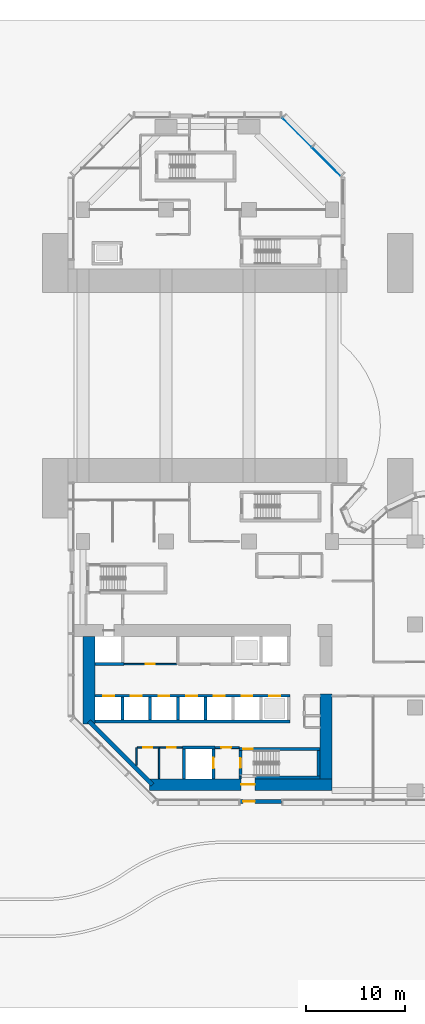
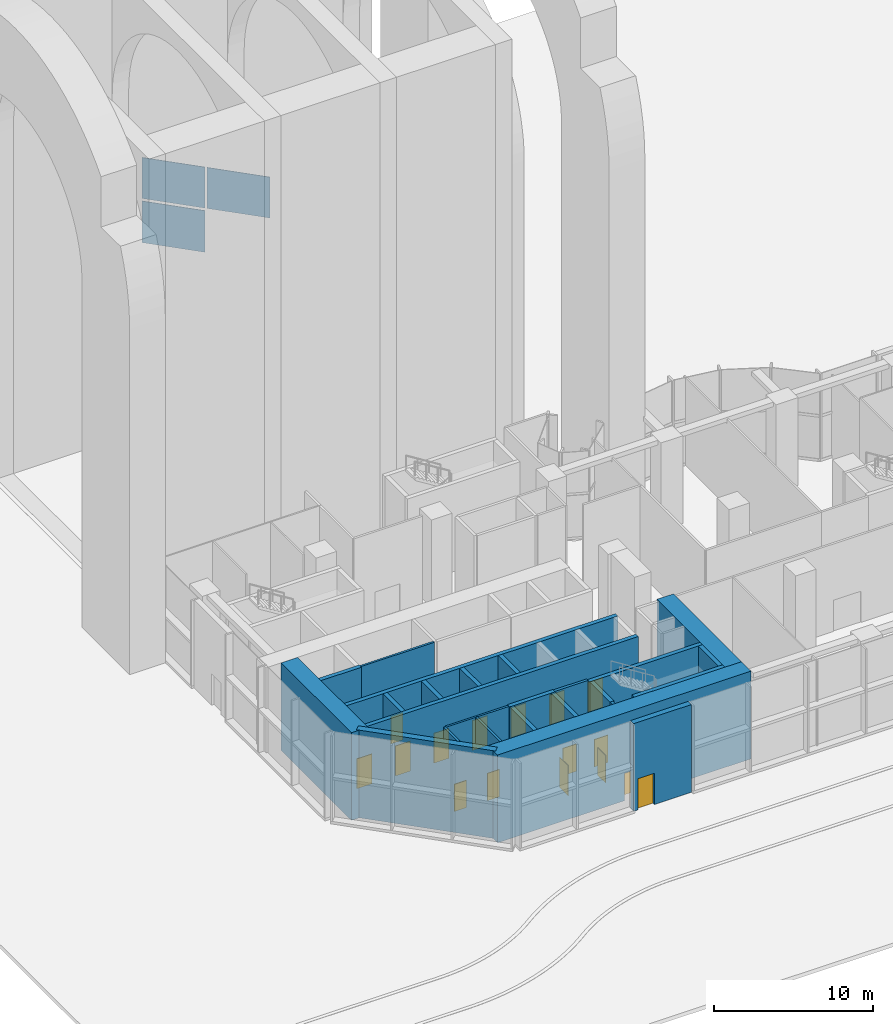
# One storey, part 7 of 21: 26 walls, 16 doors, 3 plates, 16 openings, 1 element without a shape of its own.
"""IFC4 building model written with IfcOpenShell, lengths in metres."""

from ifc_helpers import new_model, si_unit, direction, frame, frame_2d, origin, place, context, subcontext, project, spatial, polyline, rectangle, outline, extrude, material, layer, layer_set, type_object, element, fill, aggregate, save


model = new_model("IFC4")

# Units and contexts
model_context = context("Model", 3, precision=1e-05, world=origin(), true_north=direction((0.0, 1.0)))
body_context = subcontext(model_context, "Body", "Model", "MODEL_VIEW")
ifc_project = project(units=[si_unit("LENGTHUNIT", "METRE"), si_unit("AREAUNIT", "SQUARE_METRE"), si_unit("VOLUMEUNIT", "CUBIC_METRE"), si_unit("PLANEANGLEUNIT", "RADIAN"), si_unit("MASSUNIT", "GRAM", prefix="KILO")], contexts=[model_context])

# Site, building, storey
site_placement = place(None, origin())
site = spatial("IfcSite", under=ifc_project, at=site_placement, CompositionType="ELEMENT")
building_placement = place(site_placement, origin())
building = spatial("IfcBuilding", under=site, at=building_placement, Name="Brevane Broadcast Tower", CompositionType="ELEMENT")
storey_placement = place(building_placement, origin())
storey = spatial("IfcBuildingStorey", under=building, at=storey_placement, Name="L00", CompositionType="ELEMENT", Elevation=0.0)

# Curtain wall, plates
ifc_material_1 = material(Name="Aluminium 6063-T6 bronze anodised", Category="aluminium")
curtain_wall_type = type_object("IfcCurtainWallType", Name="CW-6 curtain wall", PredefinedType="NOTDEFINED", material=ifc_material_1)
curtain_wall_placement = place(storey_placement, origin())
curtain_wall = element("IfcCurtainWall", 1, at=curtain_wall_placement, inside=storey, type_object=curtain_wall_type, Name="CW-6 ground storey storefront unit L00 north arm north-east chamfer", PredefinedType="NOTDEFINED")
ifc_material_2 = material(Name="Laminated glass bronze-tinted", Category="glass")
ifc_layer_1 = layer(ifc_material_2, 0.0400390625)
ifc_layer_set_1 = layer_set([ifc_layer_1], Name="CW glass panel 40")
plate_type = type_object("IfcPlateType", Name="CW glass panel 40", PredefinedType="CURTAIN_PANEL", material=ifc_layer_set_1)
plate_1_placement = place(storey_placement, frame((0.0, 0.0, 3.60009765625)))
plate_1 = element("IfcPlate", 2, at=plate_1_placement, type_object=plate_type, Name="CW-6 glass panel", PredefinedType="CURTAIN_PANEL", context=body_context, shape_type="SweptSolid", body=[
    extrude(outline(polyline([(26.078857421875, 62.16357421875), (23.16357421875, 65.078857421875), (23.19189453125, 65.107177734375), (26.107177734375, 62.19189453125), (26.078857421875, 62.16357421875)])), origin(), (0.0, 0.0, 1.0), 3.14990234375),
])
plate_2_placement = place(storey_placement, frame((0.0, 0.0, 0.199951171875)))
plate_2 = element("IfcPlate", 3, at=plate_2_placement, type_object=plate_type, Name="CW-6 glass panel", PredefinedType="CURTAIN_PANEL", context=body_context, shape_type="SweptSolid", body=[
    extrude(outline(polyline([(23.078857421875, 65.16357421875), (20.16357421875, 68.078857421875), (20.19189453125, 68.107177734375), (23.107177734375, 65.19189453125), (23.078857421875, 65.16357421875)])), origin(), (0.0, 0.0, 1.0), 3.199951171875),
])
plate_3_placement = place(storey_placement, frame((0.0, 0.0, 3.60009765625)))
plate_3 = element("IfcPlate", 4, at=plate_3_placement, type_object=plate_type, Name="CW-6 glass panel", PredefinedType="CURTAIN_PANEL", context=body_context, shape_type="SweptSolid", body=[
    extrude(outline(polyline([(23.078857421875, 65.16357421875), (20.16357421875, 68.078857421875), (20.19189453125, 68.107177734375), (23.107177734375, 65.19189453125), (23.078857421875, 65.16357421875)])), origin(), (0.0, 0.0, 1.0), 3.14990234375),
])
aggregate(curtain_wall, [plate_1, plate_2, plate_3])

# Wall, opening, door
ifc_material_3 = material(Name="Gypsum board on steel studs", Category="steel")
ifc_layer_2 = layer(ifc_material_3, 0.14990234375)
ifc_layer_set_2 = layer_set([ifc_layer_2], Name="Core fire partition 150 mm")
wall_type_1 = type_object("IfcWallType", Name="Core fire partition 150 mm", PredefinedType="PARTITIONING", material=ifc_layer_set_2)
wall_1_placement = place(storey_placement, frame((4.162109375, 12.800048828125, 0.0), z_axis=(0.0, 0.0, 1.0), x_axis=(1.0, 0.0, 0.0)))
wall_1 = element("IfcWall", 5, at=wall_1_placement, inside=storey, type_object=wall_type_1, Name="L00 partition wall P13", PredefinedType="PARTITIONING", context=body_context, shape_type="SweptSolid", body=[
    extrude(rectangle(XDim=5.337890625, YDim=0.14990234375, at=frame_2d((2.6689453125, 0.0))), origin(), (0.0, 0.0, 1.0), 6.75),
])
opening_1_placement = place(wall_1_placement, frame((2.18798828125, 0.0, 0.0)))
opening_1 = element("IfcOpeningElement", 6, at=opening_1_placement, cuts=wall_1, Name="Opening L00-K29", PredefinedType="OPENING", context=body_context, shape_type="SweptSolid", body=[
    extrude(rectangle(XDim=0.89990234375, YDim=2.10009765625, at=frame_2d((0.449951171875, 1.050048828125))), frame((0.0, 0.0849609375, 0.0), z_axis=(0.0, -1.0, 0.0), x_axis=(1.0, 0.0, 0.0)), (0.0, 0.0, 1.0), 0.169921875),
])
ifc_material_4 = material(Name="Steel", Category="steel")
door_type_1 = type_object("IfcDoorType", Name="Service room door 900 x 2100", OperationType="SINGLE_SWING_LEFT", PredefinedType="DOOR", material=ifc_material_4)
door_1_placement = place(opening_1_placement, origin())
door_1 = element("IfcDoor", 7, at=door_1_placement, inside=storey, type_object=door_type_1, Name="Door L00-K29", OperationType="SINGLE_SWING_RIGHT", OverallHeight=2.10009765625, OverallWidth=0.89990234375, PredefinedType="DOOR", context=body_context, shape_type="SweptSolid", body=[
    extrude(rectangle(XDim=0.89990234375, YDim=2.10009765625, at=frame_2d((0.449951171875, 1.050048828125))), frame((0.0, 0.02490234375, 0.0), z_axis=(0.0, -1.0, 0.0), x_axis=(1.0, 0.0, 0.0)), (0.0, 0.0, 1.0), 0.050048828125),
])
fill(opening_1, door_1)

# Wall
wall_2_placement = place(storey_placement, frame((5.39990234375, 2.553466796875, 0.0), z_axis=(0.0, 0.0, 1.0), x_axis=(0.0, 1.0, 0.0)))
element("IfcWall", 8, at=wall_2_placement, inside=storey, type_object=wall_type_1, Name="L00 partition wall P14", PredefinedType="PARTITIONING", context=body_context, shape_type="SweptSolid", body=[
    extrude(rectangle(XDim=1.796630859375, YDim=0.14990234375, at=frame_2d((0.8984375, 0.0))), origin(), (0.0, 0.0, 1.0), 6.75),
])

# Wall, opening, door
wall_3_placement = place(storey_placement, frame((5.47509765625, 4.35009765625, 0.0), z_axis=(0.0, 0.0, 1.0), x_axis=(1.0, 0.0, 0.0)))
wall_3 = element("IfcWall", 9, at=wall_3_placement, inside=storey, type_object=wall_type_1, Name="L00 partition wall P15", PredefinedType="PARTITIONING", context=body_context, shape_type="SweptSolid", body=[
    extrude(rectangle(XDim=2.224853515625, YDim=0.14990234375, at=frame_2d((1.1123046875, 0.0))), origin(), (0.0, 0.0, 1.0), 6.75),
])
opening_2_placement = place(wall_3_placement, frame((0.625, 0.0, 0.0)))
opening_2 = element("IfcOpeningElement", 10, at=opening_2_placement, cuts=wall_3, Name="Opening L00-K24", PredefinedType="OPENING", context=body_context, shape_type="SweptSolid", body=[
    extrude(rectangle(XDim=0.89990234375, YDim=2.10009765625, at=frame_2d((0.449951171875, 1.050048828125))), frame((0.0, 0.0849609375, 0.0), z_axis=(0.0, -1.0, 0.0), x_axis=(1.0, 0.0, 0.0)), (0.0, 0.0, 1.0), 0.169921875),
])
ifc_material_5 = material(Name="Timber", Category="wood")
door_type_2 = type_object("IfcDoorType", Name="Toilet door 900 x 2100", OperationType="SINGLE_SWING_LEFT", PredefinedType="DOOR", material=ifc_material_5)
door_2_placement = place(opening_2_placement, origin())
door_2 = element("IfcDoor", 11, at=door_2_placement, inside=storey, type_object=door_type_2, Name="Door L00-K24", OperationType="SINGLE_SWING_LEFT", OverallHeight=2.10009765625, OverallWidth=0.89990234375, PredefinedType="DOOR", context=body_context, shape_type="SweptSolid", body=[
    extrude(rectangle(XDim=0.89990234375, YDim=2.10009765625, at=frame_2d((0.449951171875, 1.050048828125))), frame((0.0, 0.02490234375, 0.0), z_axis=(0.0, -1.0, 0.0), x_axis=(1.0, 0.0, 0.0)), (0.0, 0.0, 1.0), 0.050048828125),
])
fill(opening_2, door_2)

# Wall
wall_4_placement = place(storey_placement, frame((7.699951171875, 4.27490234375, 0.0), z_axis=(0.0, 0.0, 1.0), x_axis=(0.0, -1.0, 0.0)))
element("IfcWall", 12, at=wall_4_placement, inside=storey, type_object=wall_type_1, Name="L00 partition wall P16", PredefinedType="PARTITIONING", context=body_context, shape_type="SweptSolid", body=[
    extrude(rectangle(XDim=3.06298828125, YDim=0.14990234375, at=frame_2d((1.531494140625, 0.0))), origin(), (0.0, 0.0, 1.0), 6.75),
])

# Wall, opening, door
wall_5_placement = place(storey_placement, frame((10.0380859375, 4.35009765625, 0.0), z_axis=(0.0, 0.0, 1.0), x_axis=(-1.0, 0.0, 0.0)))
wall_5 = element("IfcWall", 13, at=wall_5_placement, inside=storey, type_object=wall_type_1, Name="L00 partition wall P17", PredefinedType="PARTITIONING", context=body_context, shape_type="SweptSolid", body=[
    extrude(rectangle(XDim=2.26318359375, YDim=0.14990234375, at=frame_2d((1.131591796875, 0.0))), origin(), (0.0, 0.0, 1.0), 6.75),
])
opening_3_placement = place(wall_5_placement, frame((0.637939453125, 0.0, 0.0)))
opening_3 = element("IfcOpeningElement", 14, at=opening_3_placement, cuts=wall_5, Name="Opening L00-K25", PredefinedType="OPENING", context=body_context, shape_type="SweptSolid", body=[
    extrude(rectangle(XDim=0.89990234375, YDim=2.10009765625, at=frame_2d((0.449951171875, 1.050048828125))), frame((0.0, 0.0849609375, 0.0), z_axis=(0.0, -1.0, 0.0), x_axis=(1.0, 0.0, 0.0)), (0.0, 0.0, 1.0), 0.169921875),
])
door_3_placement = place(opening_3_placement, origin())
door_3 = element("IfcDoor", 15, at=door_3_placement, inside=storey, type_object=door_type_2, Name="Door L00-K25", OperationType="SINGLE_SWING_RIGHT", OverallHeight=2.10009765625, OverallWidth=0.89990234375, PredefinedType="DOOR", context=body_context, shape_type="SweptSolid", body=[
    extrude(rectangle(XDim=0.89990234375, YDim=2.10009765625, at=frame_2d((0.449951171875, 1.050048828125))), frame((0.0, 0.02490234375, 0.0), z_axis=(0.0, -1.0, 0.0), x_axis=(1.0, 0.0, 0.0)), (0.0, 0.0, 1.0), 0.050048828125),
])
fill(opening_3, door_3)

ifc_layer_3 = layer(ifc_material_3, 0.199951171875)
ifc_layer_set_3 = layer_set([ifc_layer_3], Name="Core fire partition 200 mm")
wall_type_2 = type_object("IfcWallType", Name="Core fire partition 200 mm", PredefinedType="PARTITIONING", material=ifc_layer_set_3)
wall_6_placement = place(storey_placement, frame((13.362060546875, 4.35009765625, 0.0), z_axis=(0.0, 0.0, 1.0), x_axis=(1.0, 0.0, 0.0)))
wall_6 = element("IfcWall", 16, at=wall_6_placement, inside=storey, type_object=wall_type_2, Name="L00 partition wall P03", PredefinedType="PARTITIONING", context=body_context, shape_type="SweptSolid", body=[
    extrude(rectangle(XDim=2.426025390625, YDim=0.199951171875, at=frame_2d((1.212890625, 0.0))), origin(), (0.0, 0.0, 1.0), 6.75),
])
opening_4_placement = place(wall_6_placement, frame((0.637939453125, 0.0, 0.0)))
opening_4 = element("IfcOpeningElement", 17, at=opening_4_placement, cuts=wall_6, Name="Opening L00-K26", PredefinedType="OPENING", context=body_context, shape_type="SweptSolid", body=[
    extrude(rectangle(XDim=1.0, YDim=2.10009765625, at=frame_2d((0.5, 1.050048828125))), frame((0.0, 0.10986328125, 0.0), z_axis=(0.0, -1.0, 0.0), x_axis=(1.0, 0.0, 0.0)), (0.0, 0.0, 1.0), 0.219970703125),
])
door_type_3 = type_object("IfcDoorType", Name="Stair door 1000 x 2100", OperationType="SINGLE_SWING_LEFT", PredefinedType="DOOR", material=ifc_material_4)
door_4_placement = place(opening_4_placement, origin())
door_4 = element("IfcDoor", 18, at=door_4_placement, inside=storey, type_object=door_type_3, Name="Door L00-K26", OperationType="SINGLE_SWING_LEFT", OverallHeight=2.10009765625, OverallWidth=1.0, PredefinedType="DOOR", context=body_context, shape_type="SweptSolid", body=[
    extrude(rectangle(XDim=1.0, YDim=2.10009765625, at=frame_2d((0.5, 1.050048828125))), frame((0.0, 0.02490234375, 0.0), z_axis=(0.0, -1.0, 0.0), x_axis=(1.0, 0.0, 0.0)), (0.0, 0.0, 1.0), 0.050048828125),
])
fill(opening_4, door_4)

ifc_material_6 = material(Name="Concrete C80/95", Category="concrete")
ifc_layer_4 = layer(ifc_material_6, 1.199951171875)
ifc_layer_set_4 = layer_set([ifc_layer_4], Name="Core wall 1200 mm C80/95")
wall_type_3 = type_object("IfcWallType", Name="Core wall 1200 mm C80/95", PredefinedType="SHEAR", material=ifc_layer_set_4)
wall_7_placement = place(storey_placement, frame((25.199951171875, 0.60009765625, 0.0), z_axis=(0.0, 0.0, 1.0), x_axis=(-1.0, 0.0, 0.0)))
wall_7 = element("IfcWall", 19, at=wall_7_placement, inside=storey, type_object=wall_type_3, Name="L00 outer wall WS", PredefinedType="SHEAR", context=body_context, shape_type="SweptSolid", body=[
    extrude(rectangle(XDim=18.463623046875, YDim=1.199951171875, at=frame_2d((9.23193359375, 0.0))), origin(), (0.0, 0.0, 1.0), 6.75),
])
opening_5_placement = place(wall_7_placement, frame((7.800048828125, 0.0, 0.0)))
opening_5 = element("IfcOpeningElement", 20, at=opening_5_placement, cuts=wall_7, Name="Opening L00-K18", PredefinedType="OPENING", context=body_context, shape_type="SweptSolid", body=[
    extrude(rectangle(XDim=1.39990234375, YDim=2.10009765625, at=frame_2d((0.699951171875, 1.050048828125))), frame((0.0, 0.60986328125, 0.0), z_axis=(0.0, -1.0, 0.0), x_axis=(1.0, 0.0, 0.0)), (0.0, 0.0, 1.0), 1.219970703125),
])
door_type_4 = type_object("IfcDoorType", Name="Exit door 1400 x 2100", OperationType="SINGLE_SWING_LEFT", PredefinedType="DOOR", material=ifc_material_4)
door_5_placement = place(opening_5_placement, origin())
door_5 = element("IfcDoor", 21, at=door_5_placement, inside=storey, type_object=door_type_4, Name="Door L00-K18", OperationType="SINGLE_SWING_LEFT", OverallHeight=2.10009765625, OverallWidth=1.39990234375, PredefinedType="DOOR", context=body_context, shape_type="SweptSolid", body=[
    extrude(rectangle(XDim=1.39990234375, YDim=2.10009765625, at=frame_2d((0.699951171875, 1.050048828125))), frame((0.0, 0.02490234375, 0.0), z_axis=(0.0, -1.0, 0.0), x_axis=(1.0, 0.0, 0.0)), (0.0, 0.0, 1.0), 0.050048828125),
])
fill(opening_5, door_5)

# Walls
wall_8_placement = place(storey_placement, frame((0.60009765625, 6.736328125, 0.0), z_axis=(0.0, 0.0, 1.0), x_axis=(0.0, 1.0, 0.0)))
element("IfcWall", 22, at=wall_8_placement, inside=storey, type_object=wall_type_3, Name="L00 outer wall WW", PredefinedType="SHEAR", context=body_context, shape_type="SweptSolid", body=[
    extrude(rectangle(XDim=8.86376953125, YDim=1.199951171875, at=frame_2d((4.431884765625, 0.0))), origin(), (0.0, 0.0, 1.0), 6.75),
])
wall_9_placement = place(storey_placement, frame((24.60009765625, 1.199951171875, 0.0), z_axis=(0.0, 0.0, 1.0), x_axis=(0.0, 1.0, 0.0)))
element("IfcWall", 23, at=wall_9_placement, inside=storey, type_object=wall_type_3, Name="L00 outer wall WE1", PredefinedType="SHEAR", context=body_context, shape_type="SweptSolid", body=[
    extrude(rectangle(XDim=8.60009765625, YDim=1.199951171875, at=frame_2d((4.300048828125, 0.0))), origin(), (0.0, 0.0, 1.0), 6.75),
])
ifc_layer_5 = layer(ifc_material_6, 0.300048828125)
ifc_layer_set_5 = layer_set([ifc_layer_5], Name="Core wall 300 mm C80/95")
wall_type_4 = type_object("IfcWallType", Name="Core wall 300 mm C80/95", PredefinedType="SHEAR", material=ifc_layer_set_5)
wall_10_placement = place(storey_placement, frame((1.199951171875, 7.0, 0.0), z_axis=(0.0, 0.0, 1.0), x_axis=(1.0, 0.0, 0.0)))
element("IfcWall", 24, at=wall_10_placement, inside=storey, type_object=wall_type_4, Name="L00 shaft wall SH-S012-back", PredefinedType="SHEAR", context=body_context, shape_type="SweptSolid", body=[
    extrude(rectangle(XDim=19.75, YDim=0.300048828125, at=frame_2d((9.875, 0.0))), origin(), (0.0, 0.0, 1.0), 6.75),
])

# Wall, openings, doors
wall_11_placement = place(storey_placement, frame((1.199951171875, 9.60009765625, 0.0), z_axis=(0.0, 0.0, 1.0), x_axis=(1.0, 0.0, 0.0)))
wall_11 = element("IfcWall", 25, at=wall_11_placement, inside=storey, type_object=wall_type_4, Name="L00 shaft wall SH-S012-front", PredefinedType="SHEAR", context=body_context, shape_type="SweptSolid", body=[
    extrude(rectangle(XDim=19.75, YDim=0.300048828125, at=frame_2d((9.875, 0.0))), origin(), (0.0, 0.0, 1.0), 6.75),
])
opening_6_placement = place(wall_11_placement, frame((0.85009765625, 0.0, 0.0)))
opening_6 = element("IfcOpeningElement", 26, at=opening_6_placement, cuts=wall_11, Name="Opening LD", PredefinedType="OPENING", context=body_context, shape_type="SweptSolid", body=[
    extrude(rectangle(XDim=1.10009765625, YDim=2.300048828125, at=frame_2d((0.550048828125, 1.14990234375))), frame((0.0, 0.159912109375, 0.0), z_axis=(0.0, -1.0, 0.0), x_axis=(1.0, 0.0, 0.0)), (0.0, 0.0, 1.0), 0.320068359375),
])
opening_7_placement = place(wall_11_placement, frame((3.64990234375, 0.0, 0.0)))
opening_7 = element("IfcOpeningElement", 27, at=opening_7_placement, cuts=wall_11, Name="Opening LD", PredefinedType="OPENING", context=body_context, shape_type="SweptSolid", body=[
    extrude(rectangle(XDim=1.10009765625, YDim=2.300048828125, at=frame_2d((0.550048828125, 1.14990234375))), frame((0.0, 0.159912109375, 0.0), z_axis=(0.0, -1.0, 0.0), x_axis=(1.0, 0.0, 0.0)), (0.0, 0.0, 1.0), 0.320068359375),
])
opening_8_placement = place(wall_11_placement, frame((6.449951171875, 0.0, 0.0)))
opening_8 = element("IfcOpeningElement", 28, at=opening_8_placement, cuts=wall_11, Name="Opening LD", PredefinedType="OPENING", context=body_context, shape_type="SweptSolid", body=[
    extrude(rectangle(XDim=1.10009765625, YDim=2.300048828125, at=frame_2d((0.550048828125, 1.14990234375))), frame((0.0, 0.159912109375, 0.0), z_axis=(0.0, -1.0, 0.0), x_axis=(1.0, 0.0, 0.0)), (0.0, 0.0, 1.0), 0.320068359375),
])
opening_9_placement = place(wall_11_placement, frame((9.25, 0.0, 0.0)))
opening_9 = element("IfcOpeningElement", 29, at=opening_9_placement, cuts=wall_11, Name="Opening LD", PredefinedType="OPENING", context=body_context, shape_type="SweptSolid", body=[
    extrude(rectangle(XDim=1.10009765625, YDim=2.300048828125, at=frame_2d((0.550048828125, 1.14990234375))), frame((0.0, 0.159912109375, 0.0), z_axis=(0.0, -1.0, 0.0), x_axis=(1.0, 0.0, 0.0)), (0.0, 0.0, 1.0), 0.320068359375),
])
opening_10_placement = place(wall_11_placement, frame((12.050048828125, 0.0, 0.0)))
opening_10 = element("IfcOpeningElement", 30, at=opening_10_placement, cuts=wall_11, Name="Opening LD", PredefinedType="OPENING", context=body_context, shape_type="SweptSolid", body=[
    extrude(rectangle(XDim=1.10009765625, YDim=2.300048828125, at=frame_2d((0.550048828125, 1.14990234375))), frame((0.0, 0.159912109375, 0.0), z_axis=(0.0, -1.0, 0.0), x_axis=(1.0, 0.0, 0.0)), (0.0, 0.0, 1.0), 0.320068359375),
])
opening_11_placement = place(wall_11_placement, frame((14.85009765625, 0.0, 0.0)))
opening_11 = element("IfcOpeningElement", 31, at=opening_11_placement, cuts=wall_11, Name="Opening LD", PredefinedType="OPENING", context=body_context, shape_type="SweptSolid", body=[
    extrude(rectangle(XDim=1.10009765625, YDim=2.300048828125, at=frame_2d((0.550048828125, 1.14990234375))), frame((0.0, 0.159912109375, 0.0), z_axis=(0.0, -1.0, 0.0), x_axis=(1.0, 0.0, 0.0)), (0.0, 0.0, 1.0), 0.320068359375),
])
opening_12_placement = place(wall_11_placement, frame((17.64990234375, 0.0, 0.0)))
opening_12 = element("IfcOpeningElement", 32, at=opening_12_placement, cuts=wall_11, Name="Opening LD", PredefinedType="OPENING", context=body_context, shape_type="SweptSolid", body=[
    extrude(rectangle(XDim=1.10009765625, YDim=2.300048828125, at=frame_2d((0.550048828125, 1.14990234375))), frame((0.0, 0.159912109375, 0.0), z_axis=(0.0, -1.0, 0.0), x_axis=(1.0, 0.0, 0.0)), (0.0, 0.0, 1.0), 0.320068359375),
])
ifc_material_7 = material(Name="Stainless steel", Category="steel")
door_type_5 = type_object("IfcDoorType", Name="Lift landing door", OperationType="SLIDING_TO_LEFT", PredefinedType="DOOR", material=ifc_material_7)
door_6_placement = place(opening_6_placement, origin())
door_6 = element("IfcDoor", 33, at=door_6_placement, inside=storey, type_object=door_type_5, Name="Landing door LR1 L00", OperationType="SLIDING_TO_LEFT", OverallHeight=2.300048828125, OverallWidth=1.10009765625, PredefinedType="DOOR", context=body_context, shape_type="SweptSolid", body=[
    extrude(rectangle(XDim=1.10009765625, YDim=2.300048828125, at=frame_2d((0.550048828125, 1.14990234375))), frame((0.0, 0.02490234375, 0.0), z_axis=(0.0, -1.0, 0.0), x_axis=(1.0, 0.0, 0.0)), (0.0, 0.0, 1.0), 0.050048828125),
])
fill(opening_6, door_6)
door_7_placement = place(opening_7_placement, origin())
door_7 = element("IfcDoor", 34, at=door_7_placement, inside=storey, type_object=door_type_5, Name="Landing door LR2 L00", OperationType="SLIDING_TO_LEFT", OverallHeight=2.300048828125, OverallWidth=1.10009765625, PredefinedType="DOOR", context=body_context, shape_type="SweptSolid", body=[
    extrude(rectangle(XDim=1.10009765625, YDim=2.300048828125, at=frame_2d((0.550048828125, 1.14990234375))), frame((0.0, 0.02490234375, 0.0), z_axis=(0.0, -1.0, 0.0), x_axis=(1.0, 0.0, 0.0)), (0.0, 0.0, 1.0), 0.050048828125),
])
fill(opening_7, door_7)
door_8_placement = place(opening_8_placement, origin())
door_8 = element("IfcDoor", 35, at=door_8_placement, inside=storey, type_object=door_type_5, Name="Landing door LR3 L00", OperationType="SLIDING_TO_LEFT", OverallHeight=2.300048828125, OverallWidth=1.10009765625, PredefinedType="DOOR", context=body_context, shape_type="SweptSolid", body=[
    extrude(rectangle(XDim=1.10009765625, YDim=2.300048828125, at=frame_2d((0.550048828125, 1.14990234375))), frame((0.0, 0.02490234375, 0.0), z_axis=(0.0, -1.0, 0.0), x_axis=(1.0, 0.0, 0.0)), (0.0, 0.0, 1.0), 0.050048828125),
])
fill(opening_8, door_8)
door_9_placement = place(opening_9_placement, origin())
door_9 = element("IfcDoor", 36, at=door_9_placement, inside=storey, type_object=door_type_5, Name="Landing door LR4 L00", OperationType="SLIDING_TO_LEFT", OverallHeight=2.300048828125, OverallWidth=1.10009765625, PredefinedType="DOOR", context=body_context, shape_type="SweptSolid", body=[
    extrude(rectangle(XDim=1.10009765625, YDim=2.300048828125, at=frame_2d((0.550048828125, 1.14990234375))), frame((0.0, 0.02490234375, 0.0), z_axis=(0.0, -1.0, 0.0), x_axis=(1.0, 0.0, 0.0)), (0.0, 0.0, 1.0), 0.050048828125),
])
fill(opening_9, door_9)
door_10_placement = place(opening_10_placement, origin())
door_10 = element("IfcDoor", 37, at=door_10_placement, inside=storey, type_object=door_type_5, Name="Landing door LR5 L00", OperationType="SLIDING_TO_LEFT", OverallHeight=2.300048828125, OverallWidth=1.10009765625, PredefinedType="DOOR", context=body_context, shape_type="SweptSolid", body=[
    extrude(rectangle(XDim=1.10009765625, YDim=2.300048828125, at=frame_2d((0.550048828125, 1.14990234375))), frame((0.0, 0.02490234375, 0.0), z_axis=(0.0, -1.0, 0.0), x_axis=(1.0, 0.0, 0.0)), (0.0, 0.0, 1.0), 0.050048828125),
])
fill(opening_10, door_10)
door_11_placement = place(opening_11_placement, origin())
door_11 = element("IfcDoor", 38, at=door_11_placement, inside=storey, type_object=door_type_5, Name="Landing door LR6 L00", OperationType="SLIDING_TO_LEFT", OverallHeight=2.300048828125, OverallWidth=1.10009765625, PredefinedType="DOOR", context=body_context, shape_type="SweptSolid", body=[
    extrude(rectangle(XDim=1.10009765625, YDim=2.300048828125, at=frame_2d((0.550048828125, 1.14990234375))), frame((0.0, 0.02490234375, 0.0), z_axis=(0.0, -1.0, 0.0), x_axis=(1.0, 0.0, 0.0)), (0.0, 0.0, 1.0), 0.050048828125),
])
fill(opening_11, door_11)
door_12_placement = place(opening_12_placement, origin())
door_12 = element("IfcDoor", 39, at=door_12_placement, inside=storey, type_object=door_type_5, Name="Landing door SH1 L00", OperationType="SLIDING_TO_LEFT", OverallHeight=2.300048828125, OverallWidth=1.10009765625, PredefinedType="DOOR", context=body_context, shape_type="SweptSolid", body=[
    extrude(rectangle(XDim=1.10009765625, YDim=2.300048828125, at=frame_2d((0.550048828125, 1.14990234375))), frame((0.0, 0.02490234375, 0.0), z_axis=(0.0, -1.0, 0.0), x_axis=(1.0, 0.0, 0.0)), (0.0, 0.0, 1.0), 0.050048828125),
])
fill(opening_12, door_12)

# Walls
for number, where, z_axis, x_axis, name in (
    (40, (4.0, 7.14990234375, 0.0), (0.0, 0.0, 1.0), (0.0, 1.0, 0.0), "L00 shaft wall SH-S-P040"),
    (41, (6.800048828125, 7.14990234375, 0.0), (0.0, 0.0, 1.0), (0.0, 1.0, 0.0), "L00 shaft wall SH-S-P068"),
    (42, (9.60009765625, 7.14990234375, 0.0), (0.0, 0.0, 1.0), (0.0, 1.0, 0.0), "L00 shaft wall SH-S-P096"),
    (43, (12.39990234375, 7.14990234375, 0.0), (0.0, 0.0, 1.0), (0.0, 1.0, 0.0), "L00 shaft wall SH-S-P124"),
):
    element("IfcWall", number, at=place(storey_placement, frame(where, z_axis=z_axis, x_axis=x_axis)), inside=storey, type_object=wall_type_4, Name=name, PredefinedType="SHEAR", context=body_context, shape_type="SweptSolid", body=[
        extrude(rectangle(XDim=2.300048828125, YDim=0.300048828125, at=frame_2d((1.14990234375, 0.0))), origin(), (0.0, 0.0, 1.0), 6.75),
    ])
wall_12_placement = place(storey_placement, frame((1.199951171875, 12.800048828125, 0.0), z_axis=(0.0, 0.0, 1.0), x_axis=(1.0, 0.0, 0.0)))
element("IfcWall", 44, at=wall_12_placement, inside=storey, type_object=wall_type_4, Name="L00 shaft wall SH-N012-front", PredefinedType="SHEAR", context=body_context, shape_type="SweptSolid", body=[
    extrude(rectangle(XDim=2.949951171875, YDim=0.300048828125, at=frame_2d((1.47509765625, 0.0))), origin(), (0.0, 0.0, 1.0), 6.75),
])
wall_13_placement = place(storey_placement, frame((10.199951171875, 1.199951171875, 0.0), z_axis=(0.0, 0.0, 1.0), x_axis=(0.0, 1.0, 0.0)))
element("IfcWall", 45, at=wall_13_placement, inside=storey, type_object=wall_type_4, Name="L00 shaft wall FF2-W", PredefinedType="SHEAR", context=body_context, shape_type="SweptSolid", body=[
    extrude(rectangle(XDim=3.0, YDim=0.300048828125, at=frame_2d((1.5, 0.0))), origin(), (0.0, 0.0, 1.0), 6.75),
])

# Wall, opening, door
wall_14_placement = place(storey_placement, frame((13.199951171875, 1.199951171875, 0.0), z_axis=(0.0, 0.0, 1.0), x_axis=(0.0, 1.0, 0.0)))
wall_14 = element("IfcWall", 46, at=wall_14_placement, inside=storey, type_object=wall_type_4, Name="L00 shaft wall FF2-E", PredefinedType="SHEAR", context=body_context, shape_type="SweptSolid", body=[
    extrude(rectangle(XDim=3.0, YDim=0.300048828125, at=frame_2d((1.5, 0.0))), origin(), (0.0, 0.0, 1.0), 6.75),
])
opening_13_placement = place(wall_14_placement, frame((1.050048828125, 0.0, 0.0)))
opening_13 = element("IfcOpeningElement", 47, at=opening_13_placement, cuts=wall_14, Name="Opening LD", PredefinedType="OPENING", context=body_context, shape_type="SweptSolid", body=[
    extrude(rectangle(XDim=1.10009765625, YDim=2.300048828125, at=frame_2d((0.550048828125, 1.14990234375))), frame((0.0, 0.159912109375, 0.0), z_axis=(0.0, -1.0, 0.0), x_axis=(1.0, 0.0, 0.0)), (0.0, 0.0, 1.0), 0.320068359375),
])
door_13_placement = place(opening_13_placement, origin())
door_13 = element("IfcDoor", 48, at=door_13_placement, inside=storey, type_object=door_type_5, Name="Landing door FF2 L00", OperationType="SLIDING_TO_LEFT", OverallHeight=2.300048828125, OverallWidth=1.10009765625, PredefinedType="DOOR", context=body_context, shape_type="SweptSolid", body=[
    extrude(rectangle(XDim=1.10009765625, YDim=2.300048828125, at=frame_2d((0.550048828125, 1.14990234375))), frame((0.0, 0.02490234375, 0.0), z_axis=(0.0, -1.0, 0.0), x_axis=(1.0, 0.0, 0.0)), (0.0, 0.0, 1.0), 0.050048828125),
])
fill(opening_13, door_13)

# Walls
wall_15_placement = place(storey_placement, frame((10.050048828125, 4.35009765625, 0.0), z_axis=(0.0, 0.0, 1.0), x_axis=(1.0, 0.0, 0.0)))
element("IfcWall", 49, at=wall_15_placement, inside=storey, type_object=wall_type_4, Name="L00 shaft wall FF2-N", PredefinedType="SHEAR", context=body_context, shape_type="SweptSolid", body=[
    extrude(rectangle(XDim=3.300048828125, YDim=0.300048828125, at=frame_2d((1.64990234375, 0.0))), origin(), (0.0, 0.0, 1.0), 6.75),
])
wall_16_placement = place(storey_placement, frame((15.800048828125, 1.35009765625, 0.0), z_axis=(0.0, 0.0, 1.0), x_axis=(1.0, 0.0, 0.0)))
element("IfcWall", 50, at=wall_16_placement, inside=storey, type_object=wall_type_4, Name="L00 stair wall ST-2-S1", PredefinedType="SHEAR", context=body_context, shape_type="SweptSolid", body=[
    extrude(rectangle(XDim=0.199951171875, YDim=0.300048828125, at=frame_2d((0.10009765625, 0.0))), origin(), (0.0, 0.0, 1.0), 6.75),
])
wall_17_placement = place(storey_placement, frame((17.39990234375, 1.35009765625, 0.0), z_axis=(0.0, 0.0, 1.0), x_axis=(1.0, 0.0, 0.0)))
element("IfcWall", 51, at=wall_17_placement, inside=storey, type_object=wall_type_4, Name="L00 stair wall ST-2-S2", PredefinedType="SHEAR", context=body_context, shape_type="SweptSolid", body=[
    extrude(rectangle(XDim=6.60009765625, YDim=0.300048828125, at=frame_2d((3.300048828125, 0.0))), origin(), (0.0, 0.0, 1.0), 6.75),
])

# Wall, opening, door
wall_18_placement = place(storey_placement, frame((15.800048828125, 4.199951171875, 0.0), z_axis=(0.0, 0.0, 1.0), x_axis=(1.0, 0.0, 0.0)))
wall_18 = element("IfcWall", 52, at=wall_18_placement, inside=storey, type_object=wall_type_4, Name="L00 stair wall ST-2-N", PredefinedType="SHEAR", context=body_context, shape_type="SweptSolid", body=[
    extrude(rectangle(XDim=8.199951171875, YDim=0.300048828125, at=frame_2d((4.10009765625, 0.0))), origin(), (0.0, 0.0, 1.0), 6.75),
])
opening_14_placement = place(wall_18_placement, frame((0.39990234375, 0.0, 0.0)))
opening_14 = element("IfcOpeningElement", 53, at=opening_14_placement, cuts=wall_18, Name="Opening L00-K17", PredefinedType="OPENING", context=body_context, shape_type="SweptSolid", body=[
    extrude(rectangle(XDim=1.0, YDim=2.10009765625, at=frame_2d((0.5, 1.050048828125))), frame((0.0, 0.159912109375, 0.0), z_axis=(0.0, -1.0, 0.0), x_axis=(1.0, 0.0, 0.0)), (0.0, 0.0, 1.0), 0.320068359375),
])
door_14_placement = place(opening_14_placement, origin())
door_14 = element("IfcDoor", 54, at=door_14_placement, inside=storey, type_object=door_type_3, Name="Door L00-K17", OperationType="SINGLE_SWING_RIGHT", OverallHeight=2.10009765625, OverallWidth=1.0, PredefinedType="DOOR", context=body_context, shape_type="SweptSolid", body=[
    extrude(rectangle(XDim=1.0, YDim=2.10009765625, at=frame_2d((0.5, 1.050048828125))), frame((0.0, 0.02490234375, 0.0), z_axis=(0.0, -1.0, 0.0), x_axis=(1.0, 0.0, 0.0)), (0.0, 0.0, 1.0), 0.050048828125),
])
fill(opening_14, door_14)

wall_19_placement = place(storey_placement, frame((15.949951171875, 1.5, 0.0), z_axis=(0.0, 0.0, 1.0), x_axis=(0.0, 1.0, 0.0)))
wall_19 = element("IfcWall", 55, at=wall_19_placement, inside=storey, type_object=wall_type_4, Name="L00 stair wall ST-2-W", PredefinedType="SHEAR", context=body_context, shape_type="SweptSolid", body=[
    extrude(rectangle(XDim=2.550048828125, YDim=0.300048828125, at=frame_2d((1.27490234375, 0.0))), origin(), (0.0, 0.0, 1.0), 6.75),
])
opening_15_placement = place(wall_19_placement, frame((0.800048828125, 0.0, 0.0)))
opening_15 = element("IfcOpeningElement", 56, at=opening_15_placement, cuts=wall_19, Name="Opening L00-K16", PredefinedType="OPENING", context=body_context, shape_type="SweptSolid", body=[
    extrude(rectangle(XDim=1.0, YDim=2.10009765625, at=frame_2d((0.5, 1.050048828125))), frame((0.0, 0.159912109375, 0.0), z_axis=(0.0, -1.0, 0.0), x_axis=(1.0, 0.0, 0.0)), (0.0, 0.0, 1.0), 0.320068359375),
])
door_15_placement = place(opening_15_placement, origin())
door_15 = element("IfcDoor", 57, at=door_15_placement, inside=storey, type_object=door_type_3, Name="Door L00-K16", OperationType="SINGLE_SWING_LEFT", OverallHeight=2.10009765625, OverallWidth=1.0, PredefinedType="DOOR", context=body_context, shape_type="SweptSolid", body=[
    extrude(rectangle(XDim=1.0, YDim=2.10009765625, at=frame_2d((0.5, 1.050048828125))), frame((0.0, 0.02490234375, 0.0), z_axis=(0.0, -1.0, 0.0), x_axis=(1.0, 0.0, 0.0)), (0.0, 0.0, 1.0), 0.050048828125),
])
fill(opening_15, door_15)

# Walls
wall_20_placement = place(storey_placement, frame((23.85009765625, 1.5, 0.0), z_axis=(0.0, 0.0, 1.0), x_axis=(0.0, 1.0, 0.0)))
element("IfcWall", 58, at=wall_20_placement, inside=storey, type_object=wall_type_4, Name="L00 stair wall ST-2-E", PredefinedType="SHEAR", context=body_context, shape_type="SweptSolid", body=[
    extrude(rectangle(XDim=2.550048828125, YDim=0.300048828125, at=frame_2d((1.27490234375, 0.0))), origin(), (0.0, 0.0, 1.0), 6.75),
])
ifc_layer_6 = layer(ifc_material_6, 0.449951171875)
ifc_layer_set_6 = layer_set([ifc_layer_6], Name="Core wall 450 mm C80/95")
wall_type_5 = type_object("IfcWallType", Name="Core wall 450 mm C80/95", PredefinedType="SHEAR", material=ifc_layer_set_6)
wall_21_placement = place(storey_placement, frame((0.60009765625, 7.018310546875, 0.0), z_axis=(0.0, 0.0, 1.0), x_axis=(0.707106781187, -0.707106781187, 0.0)))
element("IfcWall", 59, at=wall_21_placement, inside=storey, type_object=wall_type_5, Name="L00 outer wall WC", PredefinedType="SHEAR", context=body_context, shape_type="SweptSolid", body=[
    extrude(rectangle(XDim=9.07666015625, YDim=0.449951171875, at=frame_2d((4.538330078125, 0.0))), origin(), (0.0, 0.0, 1.0), 6.75),
])

# Wall, opening, door
ifc_material_8 = material(Name="Concrete C40/50", Category="concrete")
ifc_layer_7 = layer(ifc_material_8, 0.39990234375)
ifc_layer_set_7 = layer_set([ifc_layer_7], Name="Entrance portal wall 400")
wall_type_6 = type_object("IfcWallType", Name="Entrance portal wall 400", PredefinedType="SOLIDWALL", material=ifc_layer_set_7)
wall_22_placement = place(storey_placement, frame((20.10009765625, -1.10009765625, 0.0), z_axis=(0.0, 0.0, 1.0), x_axis=(-1.0, 0.0, 0.0)))
wall_22 = element("IfcWall", 60, at=wall_22_placement, inside=storey, type_object=wall_type_6, Name="Portal wall stair exit", PredefinedType="SOLIDWALL", context=body_context, shape_type="SweptSolid", body=[
    extrude(rectangle(XDim=4.2001953125, YDim=0.39990234375, at=frame_2d((2.10009765625, 0.0))), origin(), (0.0, 0.0, 1.0), 6.75),
])
opening_16_placement = place(wall_22_placement, frame((2.699951171875, 0.0, 0.0)))
opening_16 = element("IfcOpeningElement", 61, at=opening_16_placement, cuts=wall_22, Name="Opening EX04", PredefinedType="OPENING", context=body_context, shape_type="SweptSolid", body=[
    extrude(rectangle(XDim=1.199951171875, YDim=2.39990234375, at=frame_2d((0.60009765625, 1.199951171875))), frame((0.0, 0.2099609375, 0.0), z_axis=(0.0, -1.0, 0.0), x_axis=(1.0, 0.0, 0.0)), (0.0, 0.0, 1.0), 0.419921875),
])
ifc_material_9 = material(Name="Aluminium bronze anodised and laminated glass", Category="aluminium")
door_type_6 = type_object("IfcDoorType", Name="Stair exit door 1200x2400", OperationType="SINGLE_SWING_LEFT", PredefinedType="DOOR", material=ifc_material_9)
door_16_placement = place(opening_16_placement, origin())
door_16 = element("IfcDoor", 62, at=door_16_placement, inside=storey, type_object=door_type_6, Name="Stair exit", OperationType="SINGLE_SWING_LEFT", OverallHeight=2.39990234375, OverallWidth=1.199951171875, PredefinedType="DOOR", context=body_context, shape_type="SweptSolid", body=[
    extrude(rectangle(XDim=1.199951171875, YDim=2.39990234375, at=frame_2d((0.60009765625, 1.199951171875))), frame((0.0, 0.02490234375, 0.0), z_axis=(0.0, -1.0, 0.0), x_axis=(1.0, 0.0, 0.0)), (0.0, 0.0, 1.0), 0.050048828125),
])
fill(opening_16, door_16)

save(model, "model.ifc")
